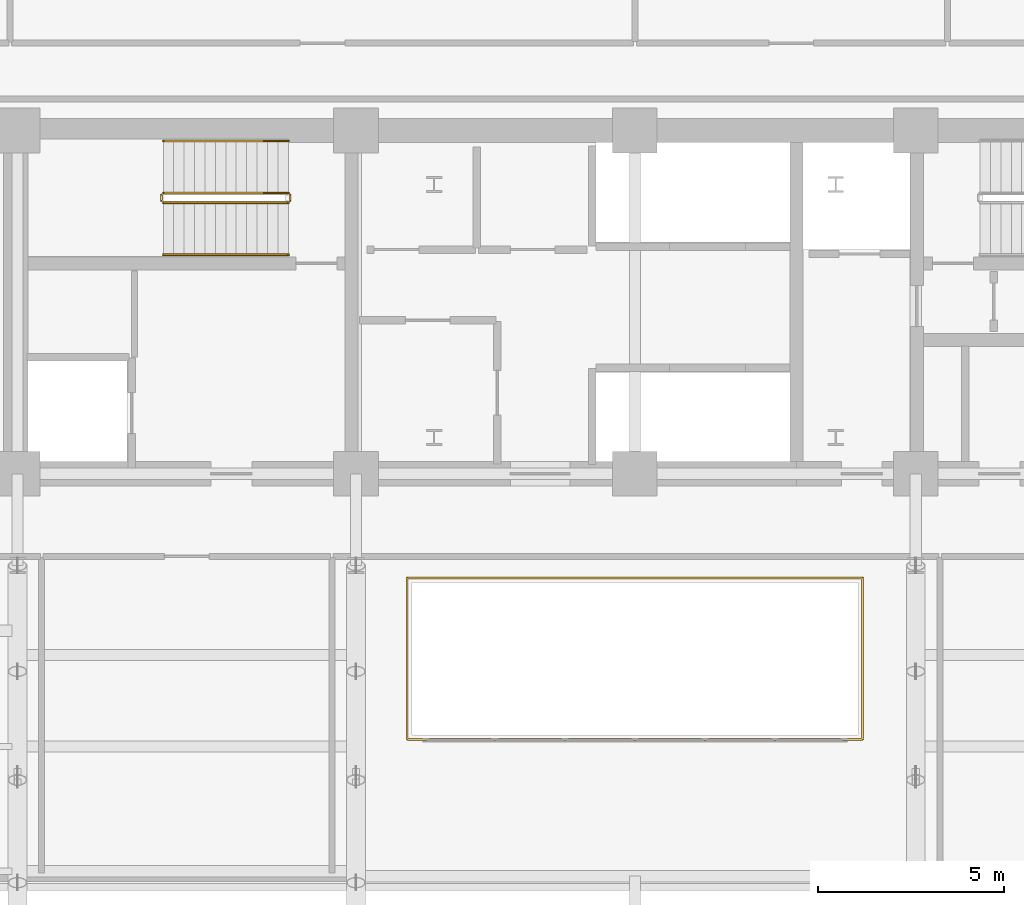
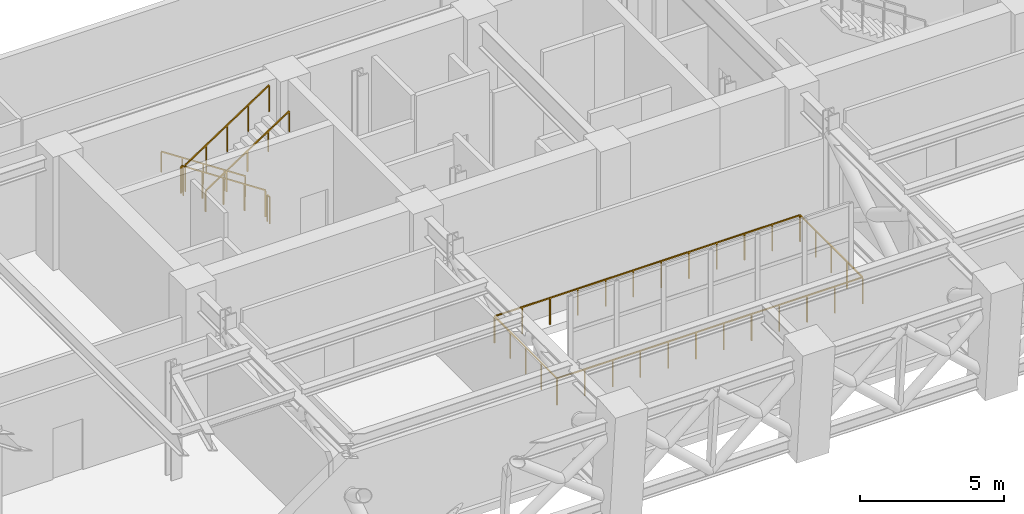
# One storey, part 11 of 13: 7 railings.
"""IFC4 building model written with IfcOpenShell, lengths in metres."""

from ifc_helpers import new_model, si_unit, direction, frame, origin, origin_2d, place, context, subcontext, project, spatial, rectangle, extrude, material, type_object, element, save


model = new_model("IFC4")

# Units and contexts
model_context = context("Model", 3, precision=1e-05, world=origin(), true_north=direction((0.0, 1.0)))
body_context = subcontext(model_context, "Body", "Model", "MODEL_VIEW")
ifc_project = project(units=[si_unit("LENGTHUNIT", "METRE"), si_unit("AREAUNIT", "SQUARE_METRE"), si_unit("VOLUMEUNIT", "CUBIC_METRE"), si_unit("PLANEANGLEUNIT", "RADIAN"), si_unit("MASSUNIT", "GRAM", prefix="KILO")], contexts=[model_context])

# Site, building, storey
site_placement = place(None, origin())
site = spatial("IfcSite", under=ifc_project, at=site_placement, CompositionType="ELEMENT")
building_placement = place(site_placement, origin())
building = spatial("IfcBuilding", under=site, at=building_placement, Name="Zarnavel Station Tower", CompositionType="ELEMENT")
storey_placement = place(building_placement, frame((0.0, 0.0, 132.89990234375)))
storey = spatial("IfcBuildingStorey", under=building, at=storey_placement, Name="L36", CompositionType="ELEMENT", Elevation=132.89990234375)

# Railings
ifc_material_1 = material(Name="Painted Steel S355J2 Balustrade", Category="steel")
railing_type_1 = type_object("IfcRailingType", Name="GR_INT_1150", PredefinedType="GUARDRAIL", material=ifc_material_1)
railing_1_placement = place(storey_placement, frame((19.47998046875, 35.3701171875, 0.184814453125)))
element("IfcRailing", 1, at=railing_1_placement, inside=storey, type_object=railing_type_1, Name="L36 ST1 stair guard 1", PredefinedType="GUARDRAIL", context=body_context, shape_type="SweptSolid", body=[
    extrude(rectangle(XDim=0.048095703125, YDim=0.048095703125, at=origin_2d()), frame((-0.001708984375, 0.0, 1.126953125), z_axis=(-0.834858096282, 0.0, 0.550465220583), x_axis=(0.0, -1.0, 0.0)), (0.0, 0.0, 1.0), 4.0205078125),
    extrude(rectangle(XDim=0.0419921875, YDim=0.0419921875, at=origin_2d()), origin(), (0.0, 0.0, 1.0), 1.101806640625),
    extrude(rectangle(XDim=0.0419921875, YDim=0.0419921875, at=origin_2d()), frame((-0.83984375, 0.0, 0.5537109375)), (0.0, 0.0, 1.0), 1.101806640625),
    extrude(rectangle(XDim=0.0419921875, YDim=0.0419921875, at=origin_2d()), frame((-1.679931640625, 0.0, 1.107666015625)), (0.0, 0.0, 1.0), 1.101806640625),
    extrude(rectangle(XDim=0.0419921875, YDim=0.0419921875, at=origin_2d()), frame((-2.52001953125, 0.0, 1.66162109375)), (0.0, 0.0, 1.0), 1.101806640625),
    extrude(rectangle(XDim=0.0419921875, YDim=0.0419921875, at=origin_2d()), frame((-3.35986328125, 0.0, 2.21533203125)), (0.0, 0.0, 1.0), 1.101806640625),
])
railing_2_placement = place(storey_placement, frame((16.070068359375, 35.320068359375, 2.400146484375)))
element("IfcRailing", 2, at=railing_2_placement, inside=storey, type_object=railing_type_1, Name="L36 ST1 stair guard 2", PredefinedType="GUARDRAIL", context=body_context, shape_type="SweptSolid", body=[
    extrude(rectangle(XDim=0.048095703125, YDim=0.048095703125, at=origin_2d()), frame((0.0, -0.001953125, 1.1259765625), z_axis=(0.0, -1.0, 0.0), x_axis=(1.0, 0.0, 0.0)), (0.0, 0.0, 1.0), 0.15625),
    extrude(rectangle(XDim=0.0419921875, YDim=0.0419921875, at=origin_2d()), origin(), (0.0, 0.0, 1.0), 1.101806640625),
    extrude(rectangle(XDim=0.0419921875, YDim=0.0419921875, at=origin_2d()), frame((0.0, -0.16015625, 0.0)), (0.0, 0.0, 1.0), 1.101806640625),
])
railing_3_placement = place(storey_placement, frame((16.1201171875, 35.110107421875, 2.584716796875)))
element("IfcRailing", 3, at=railing_3_placement, inside=storey, type_object=railing_type_1, Name="L36 ST1 stair guard 3", PredefinedType="GUARDRAIL", context=body_context, shape_type="SweptSolid", body=[
    extrude(rectangle(XDim=0.048095703125, YDim=0.048095703125, at=origin_2d()), frame((0.001708984375, 0.0, 1.126953125), z_axis=(0.834858096282, 0.0, 0.550465220583), x_axis=(0.0, 1.0, 0.0)), (0.0, 0.0, 1.0), 4.0205078125),
    extrude(rectangle(XDim=0.0419921875, YDim=0.0419921875, at=origin_2d()), origin(), (0.0, 0.0, 1.0), 1.101806640625),
    extrude(rectangle(XDim=0.0419921875, YDim=0.0419921875, at=origin_2d()), frame((0.83984375, 0.0, 0.5537109375)), (0.0, 0.0, 1.0), 1.101806640625),
    extrude(rectangle(XDim=0.0419921875, YDim=0.0419921875, at=origin_2d()), frame((1.679931640625, 0.0, 1.107666015625)), (0.0, 0.0, 1.0), 1.101806640625),
    extrude(rectangle(XDim=0.0419921875, YDim=0.0419921875, at=origin_2d()), frame((2.52001953125, 0.0, 1.66162109375)), (0.0, 0.0, 1.0), 1.101806640625),
    extrude(rectangle(XDim=0.0419921875, YDim=0.0419921875, at=origin_2d()), frame((3.35986328125, 0.0, 2.21533203125)), (0.0, 0.0, 1.0), 1.101806640625),
])
railing_4_placement = place(storey_placement, frame((19.530029296875, 35.320068359375, 0.0)))
element("IfcRailing", 4, at=railing_4_placement, inside=storey, type_object=railing_type_1, Name="L36 ST1 stair guard 4", PredefinedType="GUARDRAIL", context=body_context, shape_type="SweptSolid", body=[
    extrude(rectangle(XDim=0.048095703125, YDim=0.048095703125, at=origin_2d()), frame((0.0, -0.001953125, 1.1259765625), z_axis=(0.0, -1.0, 0.0), x_axis=(1.0, 0.0, 0.0)), (0.0, 0.0, 1.0), 0.15625),
    extrude(rectangle(XDim=0.0419921875, YDim=0.0419921875, at=origin_2d()), origin(), (0.0, 0.0, 1.0), 1.101806640625),
    extrude(rectangle(XDim=0.0419921875, YDim=0.0419921875, at=origin_2d()), frame((0.0, -0.16015625, 0.0)), (0.0, 0.0, 1.0), 1.101806640625),
])
railing_5_placement = place(storey_placement, frame((22.679931640625, 20.679931640625, 0.0)))
element("IfcRailing", 5, at=railing_5_placement, inside=storey, type_object=railing_type_1, Name="L36 Atrium Void Guardrail", PredefinedType="GUARDRAIL", context=body_context, shape_type="SweptSolid", body=[
    extrude(rectangle(XDim=0.048095703125, YDim=0.048095703125, at=origin_2d()), frame((0.001953125, 0.0, 1.1259765625), z_axis=(1.0, 0.0, 0.0), x_axis=(0.0, 1.0, 0.0)), (0.0, 0.0, 1.0), 12.236083984375),
    extrude(rectangle(XDim=0.048095703125, YDim=0.048095703125, at=origin_2d()), frame((12.239990234375, 0.001953125, 1.1259765625), z_axis=(0.0, 1.0, 0.0), x_axis=(-1.0, 0.0, 0.0)), (0.0, 0.0, 1.0), 4.336181640625),
    extrude(rectangle(XDim=0.048095703125, YDim=0.048095703125, at=origin_2d()), frame((12.238037109375, 4.340087890625, 1.1259765625), z_axis=(-1.0, 0.0, 0.0), x_axis=(0.0, -1.0, 0.0)), (0.0, 0.0, 1.0), 12.236083984375),
    extrude(rectangle(XDim=0.048095703125, YDim=0.048095703125, at=origin_2d()), frame((0.0, 4.338134765625, 1.1259765625), z_axis=(0.0, -1.0, 0.0), x_axis=(1.0, 0.0, 0.0)), (0.0, 0.0, 1.0), 4.336181640625),
    extrude(rectangle(XDim=0.0419921875, YDim=0.0419921875, at=origin_2d()), origin(), (0.0, 0.0, 1.0), 1.101806640625),
    extrude(rectangle(XDim=0.0419921875, YDim=0.0419921875, at=origin_2d()), frame((1.11279296875, 0.0, 0.0)), (0.0, 0.0, 1.0), 1.101806640625),
    extrude(rectangle(XDim=0.0419921875, YDim=0.0419921875, at=origin_2d()), frame((2.225341796875, 0.0, 0.0)), (0.0, 0.0, 1.0), 1.101806640625),
    extrude(rectangle(XDim=0.0419921875, YDim=0.0419921875, at=origin_2d()), frame((3.338134765625, 0.0, 0.0)), (0.0, 0.0, 1.0), 1.101806640625),
    extrude(rectangle(XDim=0.0419921875, YDim=0.0419921875, at=origin_2d()), frame((4.450927734375, 0.0, 0.0)), (0.0, 0.0, 1.0), 1.101806640625),
    extrude(rectangle(XDim=0.0419921875, YDim=0.0419921875, at=origin_2d()), frame((5.563720703125, 0.0, 0.0)), (0.0, 0.0, 1.0), 1.101806640625),
    extrude(rectangle(XDim=0.0419921875, YDim=0.0419921875, at=origin_2d()), frame((6.67626953125, 0.0, 0.0)), (0.0, 0.0, 1.0), 1.101806640625),
    extrude(rectangle(XDim=0.0419921875, YDim=0.0419921875, at=origin_2d()), frame((7.7890625, 0.0, 0.0)), (0.0, 0.0, 1.0), 1.101806640625),
    extrude(rectangle(XDim=0.0419921875, YDim=0.0419921875, at=origin_2d()), frame((8.90185546875, 0.0, 0.0)), (0.0, 0.0, 1.0), 1.101806640625),
    extrude(rectangle(XDim=0.0419921875, YDim=0.0419921875, at=origin_2d()), frame((10.0146484375, 0.0, 0.0)), (0.0, 0.0, 1.0), 1.101806640625),
    extrude(rectangle(XDim=0.0419921875, YDim=0.0419921875, at=origin_2d()), frame((11.127197265625, 0.0, 0.0)), (0.0, 0.0, 1.0), 1.101806640625),
    extrude(rectangle(XDim=0.0419921875, YDim=0.0419921875, at=origin_2d()), frame((12.239990234375, 0.0, 0.0)), (0.0, 0.0, 1.0), 1.101806640625),
    extrude(rectangle(XDim=0.0419921875, YDim=0.0419921875, at=origin_2d()), frame((12.239990234375, 1.0849609375, 0.0)), (0.0, 0.0, 1.0), 1.101806640625),
    extrude(rectangle(XDim=0.0419921875, YDim=0.0419921875, at=origin_2d()), frame((12.239990234375, 2.169921875, 0.0)), (0.0, 0.0, 1.0), 1.101806640625),
    extrude(rectangle(XDim=0.0419921875, YDim=0.0419921875, at=origin_2d()), frame((12.239990234375, 3.255126953125, 0.0)), (0.0, 0.0, 1.0), 1.101806640625),
    extrude(rectangle(XDim=0.0419921875, YDim=0.0419921875, at=origin_2d()), frame((12.239990234375, 4.340087890625, 0.0)), (0.0, 0.0, 1.0), 1.101806640625),
    extrude(rectangle(XDim=0.0419921875, YDim=0.0419921875, at=origin_2d()), frame((11.127197265625, 4.340087890625, 0.0)), (0.0, 0.0, 1.0), 1.101806640625),
    extrude(rectangle(XDim=0.0419921875, YDim=0.0419921875, at=origin_2d()), frame((10.0146484375, 4.340087890625, 0.0)), (0.0, 0.0, 1.0), 1.101806640625),
    extrude(rectangle(XDim=0.0419921875, YDim=0.0419921875, at=origin_2d()), frame((8.90185546875, 4.340087890625, 0.0)), (0.0, 0.0, 1.0), 1.101806640625),
    extrude(rectangle(XDim=0.0419921875, YDim=0.0419921875, at=origin_2d()), frame((7.7890625, 4.340087890625, 0.0)), (0.0, 0.0, 1.0), 1.101806640625),
    extrude(rectangle(XDim=0.0419921875, YDim=0.0419921875, at=origin_2d()), frame((6.67626953125, 4.340087890625, 0.0)), (0.0, 0.0, 1.0), 1.101806640625),
    extrude(rectangle(XDim=0.0419921875, YDim=0.0419921875, at=origin_2d()), frame((5.563720703125, 4.340087890625, 0.0)), (0.0, 0.0, 1.0), 1.101806640625),
    extrude(rectangle(XDim=0.0419921875, YDim=0.0419921875, at=origin_2d()), frame((4.450927734375, 4.340087890625, 0.0)), (0.0, 0.0, 1.0), 1.101806640625),
    extrude(rectangle(XDim=0.0419921875, YDim=0.0419921875, at=origin_2d()), frame((3.338134765625, 4.340087890625, 0.0)), (0.0, 0.0, 1.0), 1.101806640625),
    extrude(rectangle(XDim=0.0419921875, YDim=0.0419921875, at=origin_2d()), frame((2.225341796875, 4.340087890625, 0.0)), (0.0, 0.0, 1.0), 1.101806640625),
    extrude(rectangle(XDim=0.0419921875, YDim=0.0419921875, at=origin_2d()), frame((1.11279296875, 4.340087890625, 0.0)), (0.0, 0.0, 1.0), 1.101806640625),
    extrude(rectangle(XDim=0.0419921875, YDim=0.0419921875, at=origin_2d()), frame((0.0, 4.340087890625, 0.0)), (0.0, 0.0, 1.0), 1.101806640625),
    extrude(rectangle(XDim=0.0419921875, YDim=0.0419921875, at=origin_2d()), frame((0.0, 3.255126953125, 0.0)), (0.0, 0.0, 1.0), 1.101806640625),
    extrude(rectangle(XDim=0.0419921875, YDim=0.0419921875, at=origin_2d()), frame((0.0, 2.169921875, 0.0)), (0.0, 0.0, 1.0), 1.101806640625),
    extrude(rectangle(XDim=0.0419921875, YDim=0.0419921875, at=origin_2d()), frame((0.0, 1.0849609375, 0.0)), (0.0, 0.0, 1.0), 1.101806640625),
])
ifc_material_2 = material(Name="Brushed Stainless Steel S355J2 Handrail", Category="steel")
railing_type_2 = type_object("IfcRailingType", Name="HR_STAIR_900", PredefinedType="HANDRAIL", material=ifc_material_2)
railing_6_placement = place(storey_placement, frame((19.47998046875, 36.77001953125, 0.184814453125)))
element("IfcRailing", 6, at=railing_6_placement, inside=storey, type_object=railing_type_2, Name="L36 ST1 stair handrail 1", PredefinedType="HANDRAIL", context=body_context, shape_type="SweptSolid", body=[
    extrude(rectangle(XDim=0.048095703125, YDim=0.048095703125, at=origin_2d()), frame((-0.001708984375, 0.0, 0.876953125), z_axis=(-0.834858096282, 0.0, 0.550465220583), x_axis=(0.0, -1.0, 0.0)), (0.0, 0.0, 1.0), 4.0205078125),
    extrude(rectangle(XDim=0.0419921875, YDim=0.0419921875, at=origin_2d()), origin(), (0.0, 0.0, 1.0), 0.851806640625),
    extrude(rectangle(XDim=0.0419921875, YDim=0.0419921875, at=origin_2d()), frame((-0.83984375, 0.0, 0.5537109375)), (0.0, 0.0, 1.0), 0.851806640625),
    extrude(rectangle(XDim=0.0419921875, YDim=0.0419921875, at=origin_2d()), frame((-1.679931640625, 0.0, 1.107666015625)), (0.0, 0.0, 1.0), 0.851806640625),
    extrude(rectangle(XDim=0.0419921875, YDim=0.0419921875, at=origin_2d()), frame((-2.52001953125, 0.0, 1.66162109375)), (0.0, 0.0, 1.0), 0.851806640625),
    extrude(rectangle(XDim=0.0419921875, YDim=0.0419921875, at=origin_2d()), frame((-3.35986328125, 0.0, 2.21533203125)), (0.0, 0.0, 1.0), 0.851806640625),
])
railing_7_placement = place(storey_placement, frame((16.1201171875, 33.7099609375, 2.584716796875)))
element("IfcRailing", 7, at=railing_7_placement, inside=storey, type_object=railing_type_2, Name="L36 ST1 stair handrail 2", PredefinedType="HANDRAIL", context=body_context, shape_type="SweptSolid", body=[
    extrude(rectangle(XDim=0.048095703125, YDim=0.048095703125, at=origin_2d()), frame((0.001708984375, 0.0, 0.876953125), z_axis=(0.834858096282, 0.0, 0.550465220583), x_axis=(0.0, 1.0, 0.0)), (0.0, 0.0, 1.0), 4.0205078125),
    extrude(rectangle(XDim=0.0419921875, YDim=0.0419921875, at=origin_2d()), origin(), (0.0, 0.0, 1.0), 0.851806640625),
    extrude(rectangle(XDim=0.0419921875, YDim=0.0419921875, at=origin_2d()), frame((0.83984375, 0.0, 0.5537109375)), (0.0, 0.0, 1.0), 0.851806640625),
    extrude(rectangle(XDim=0.0419921875, YDim=0.0419921875, at=origin_2d()), frame((1.679931640625, 0.0, 1.107666015625)), (0.0, 0.0, 1.0), 0.851806640625),
    extrude(rectangle(XDim=0.0419921875, YDim=0.0419921875, at=origin_2d()), frame((2.52001953125, 0.0, 1.66162109375)), (0.0, 0.0, 1.0), 0.851806640625),
    extrude(rectangle(XDim=0.0419921875, YDim=0.0419921875, at=origin_2d()), frame((3.35986328125, 0.0, 2.21533203125)), (0.0, 0.0, 1.0), 0.851806640625),
])

save(model, "model.ifc")
